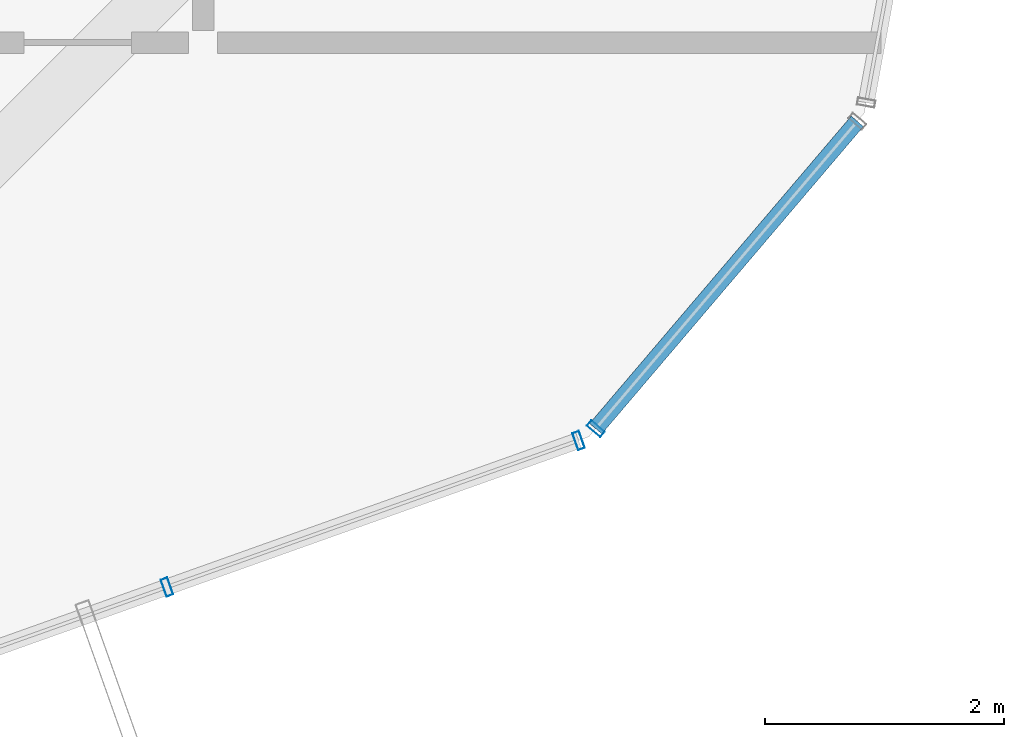
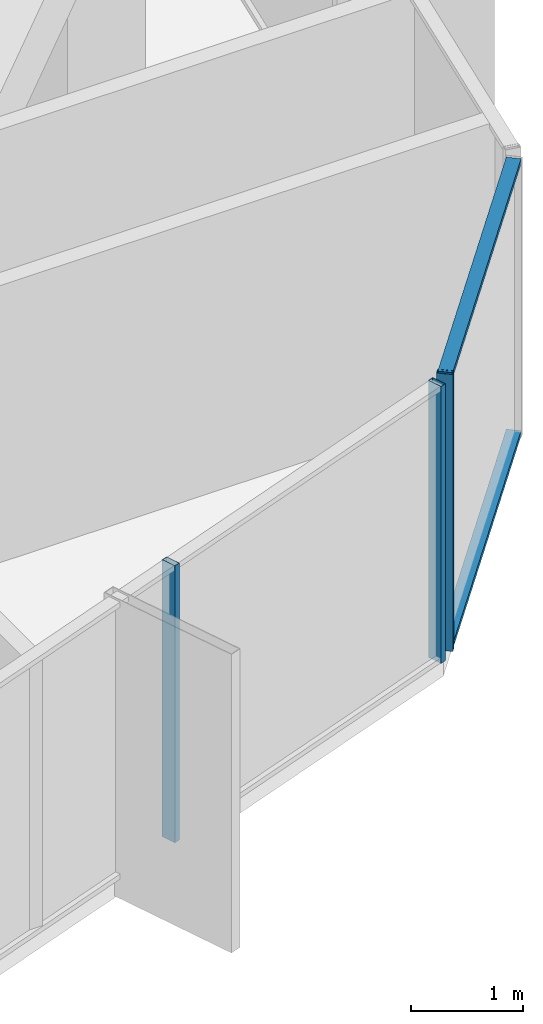
# One storey, part 10 of 29: 5 members, 2 elements without a shape of their own.
"""IFC4 building model written with IfcOpenShell, lengths in metres."""

from ifc_helpers import new_model, si_unit, direction, frame, origin, origin_2d, place, context, subcontext, project, spatial, hollow_rectangle, extrude, source, transform, mapped, material, layer, layer_set, material_profile, profile_set, type_object, element, aggregate, save


model = new_model("IFC4")

# Units and contexts
model_context = context("Model", 3, precision=1e-05, world=origin(), true_north=direction((0.0, 1.0)))
body_context = subcontext(model_context, "Body", "Model", "MODEL_VIEW")
ifc_project = project(units=[si_unit("LENGTHUNIT", "METRE"), si_unit("AREAUNIT", "SQUARE_METRE"), si_unit("VOLUMEUNIT", "CUBIC_METRE"), si_unit("PLANEANGLEUNIT", "RADIAN"), si_unit("MASSUNIT", "GRAM", prefix="KILO")], contexts=[model_context])

# Site, building, storey
site_placement = place(None, origin())
site = spatial("IfcSite", under=ifc_project, at=site_placement, CompositionType="ELEMENT")
building_placement = place(site_placement, origin())
building = spatial("IfcBuilding", under=site, at=building_placement, Name="Veraguas Prism Commons", CompositionType="ELEMENT")
storey_placement = place(building_placement, frame((0.0, 0.0, 244.75)))
storey = spatial("IfcBuildingStorey", under=building, at=storey_placement, Name="L69", CompositionType="ELEMENT", Elevation=244.75)

# Curtain wall, members
ifc_material = material(Name="Anodised aluminium EN AW-6063 T6", Category="aluminium")
ifc_layer = layer(ifc_material, 0.14990234375, Name="Unitised Flush Curtain Wall Zone 4", Category="aluminium")
ifc_layer_set = layer_set([ifc_layer], Name="Anodised aluminium EN AW-6063 T6")
curtain_wall_type = type_object("IfcCurtainWallType", Name="Unitised Flush Curtain Wall Zone 4", PredefinedType="NOTDEFINED", material=ifc_layer_set)
curtain_wall_1_placement = place(storey_placement, origin())
curtain_wall_1 = element("IfcCurtainWall", 1, at=curtain_wall_1_placement, inside=storey, type_object=curtain_wall_type, Name="Tower Facade Curtain Wall L69-F5", PredefinedType="NOTDEFINED")
ifc_material_profile_1 = material_profile(ifc_material, hollow_rectangle(XDim=0.06005859375, YDim=0.14990234375, WallThickness=0.0029296875, at=origin_2d()), Name="AL60X150X3")
ifc_profile_set_1 = profile_set([ifc_material_profile_1], Name="Anodised aluminium EN AW-6063 T6")
member_type_1 = type_object("IfcMemberType", Name="Curtain Wall Mullion Upper AL 60x150x3", PredefinedType="MULLION", material=ifc_profile_set_1)
shared_shape_1 = source(origin(), body_context, "Body", "SweptSolid", [
    extrude(hollow_rectangle(XDim=0.06005859375, YDim=0.14990234375, WallThickness=0.0029296875, at=origin_2d()), origin(), (0.0, 0.0, 1.0), 3.014892578125),
])
member_1_placement = place(storey_placement, frame((32.997314453125, 9.7373046875, 0.0), z_axis=(0.0, 0.0, 1.0), x_axis=(0.942055696354, 0.335456502347, 0.0)))
member_1 = element("IfcMember", 2, at=member_1_placement, type_object=member_type_1, Name="CW-Z4 Mullion 4", PredefinedType="MULLION", context=body_context, shape_type="MappedRepresentation", body=[
    mapped(shared_shape_1, transform((0.0, 0.0, 0.0), scale=1.0)),
])
member_2_placement = place(storey_placement, frame((36.44677734375, 10.965576171875, 0.0), z_axis=(0.0, 0.0, 1.0), x_axis=(0.942055696354, 0.335456502347, 0.0)))
member_2 = element("IfcMember", 3, at=member_2_placement, type_object=member_type_1, Name="CW-Z4 Mullion 5", PredefinedType="MULLION", context=body_context, shape_type="MappedRepresentation", body=[
    mapped(shared_shape_1, transform((0.0, 0.0, 0.0), scale=1.0)),
])
aggregate(curtain_wall_1, [member_1, member_2])

curtain_wall_2_placement = place(storey_placement, origin())
curtain_wall_2 = element("IfcCurtainWall", 4, at=curtain_wall_2_placement, inside=storey, type_object=curtain_wall_type, Name="Chamfer Curtain Wall L69-C6", PredefinedType="NOTDEFINED")
member_3_placement = place(storey_placement, frame((36.58984375, 11.064453125, 0.0), z_axis=(0.0, 0.0, 1.0), x_axis=(0.648125217588, 0.761533782788, 0.0)))
member_3 = element("IfcMember", 5, at=member_3_placement, type_object=member_type_1, Name="CW-Z4 Mullion 1", PredefinedType="MULLION", context=body_context, shape_type="MappedRepresentation", body=[
    mapped(shared_shape_1, transform((0.0, 0.0, 0.0), scale=1.0)),
])
ifc_material_profile_2 = material_profile(ifc_material, hollow_rectangle(XDim=0.054931640625, YDim=0.135009765625, WallThickness=0.0029296875, at=origin_2d()), Name="AL55X135X3")
ifc_profile_set_2 = profile_set([ifc_material_profile_2], Name="Anodised aluminium EN AW-6063 T6")
member_type_2 = type_object("IfcMemberType", Name="Curtain Wall Transom Standard AL 55x135x3", PredefinedType="USERDEFINED", material=ifc_profile_set_2)
shared_shape_2 = source(origin(), body_context, "Body", "SweptSolid", [
    extrude(hollow_rectangle(XDim=0.054931640625, YDim=0.135009765625, WallThickness=0.0029296875, at=origin_2d()), origin(), (0.0, 0.0, 1.0), 3.38232421875),
])
member_4_placement = place(storey_placement, frame((36.58984375, 11.064453125, 0.027587890625), z_axis=(0.648172066168, 0.761493908472, 0.0), x_axis=(0.0, 0.0, 1.0)))
member_4 = element("IfcMember", 6, at=member_4_placement, type_object=member_type_2, Name="CW-Z4 Transom 1", ObjectType="TRANSOM", PredefinedType="USERDEFINED", context=body_context, shape_type="MappedRepresentation", body=[
    mapped(shared_shape_2, transform((0.0, 0.0, 0.0), scale=1.0)),
])
member_5_placement = place(storey_placement, frame((36.58984375, 11.064453125, 2.987548828125), z_axis=(0.648172066168, 0.761493908472, 0.0), x_axis=(0.0, 0.0, 1.0)))
member_5 = element("IfcMember", 7, at=member_5_placement, type_object=member_type_2, Name="CW-Z4 Transom 2", ObjectType="TRANSOM", PredefinedType="USERDEFINED", context=body_context, shape_type="MappedRepresentation", body=[
    mapped(shared_shape_2, transform((0.0, 0.0, 0.0), scale=1.0)),
])
aggregate(curtain_wall_2, [member_3, member_4, member_5])

save(model, "model.ifc")
